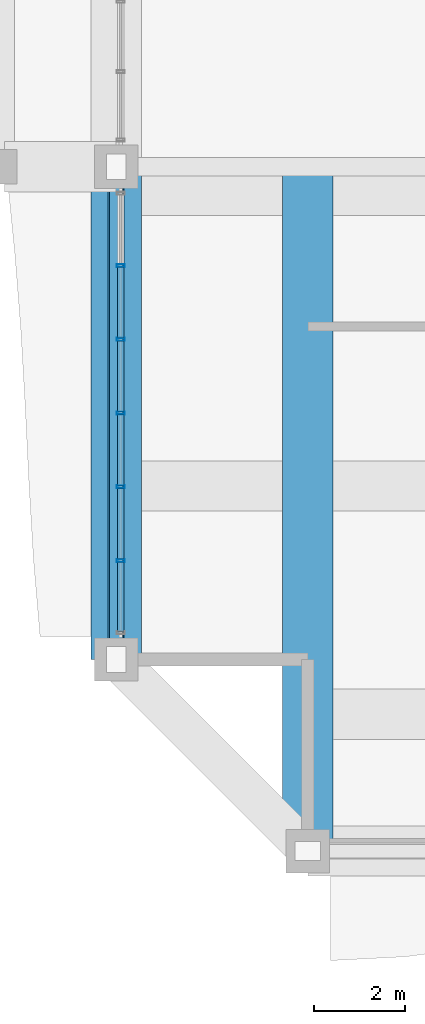
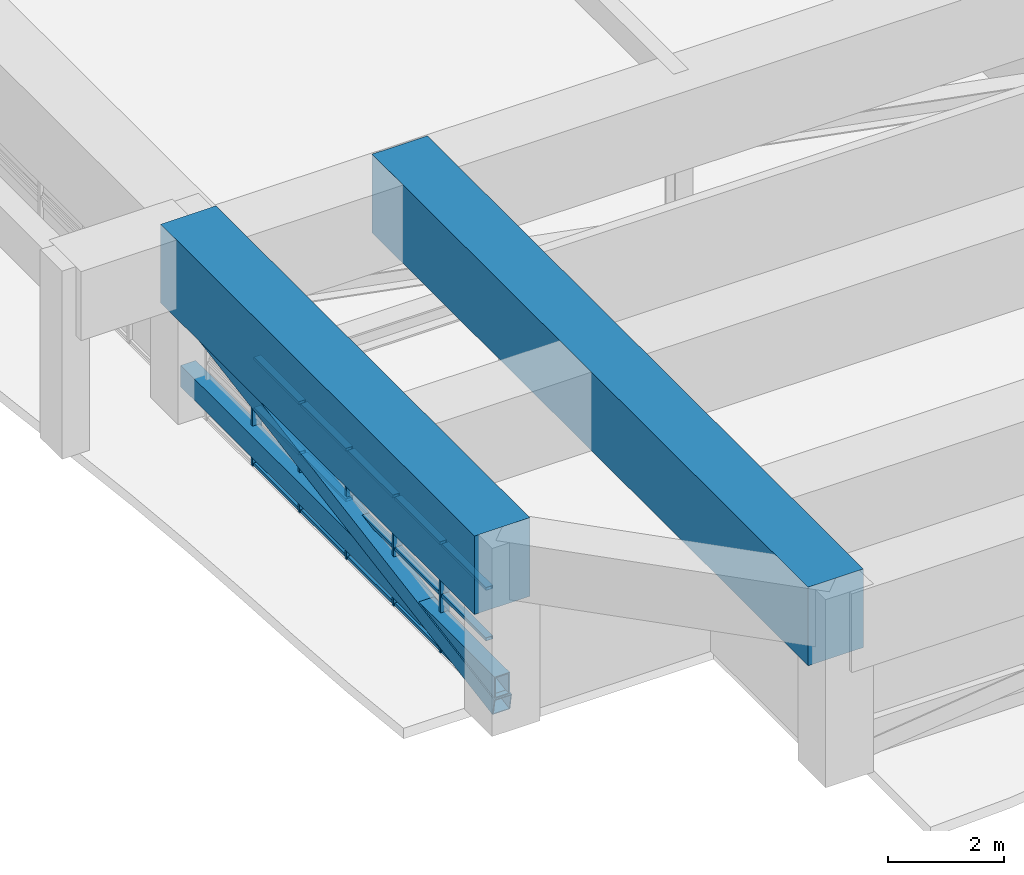
# One storey, part 4 of 35: 22 members, 2 beams, 1 element without a shape of its own.
"""IFC4 building model written with IfcOpenShell, lengths in metres."""

import ifcopenshell
import ifcopenshell.guid

model = None  # the IFC model being written
_history = None  # IfcOwnerHistory: only IFC2X3 demands one
_inside = {}  # id of a spatial element -> (the spatial element, [elements in it])
_under = {}  # id of a project, library or spatial element -> (it, [spatial elements below it])
_declared = {}  # id of a project -> (the project, [libraries it declares])
_typed = {}  # id of a type object -> (the type object, [elements of that type])
_made_of = {}  # id of a material, layer set ... -> (it, [elements and type objects made of it])


def new_model(schema):
    """Start an empty IFC model of exactly this schema.

    Asked for "IFC4X3", IfcOpenShell would pick the latest addendum, in which some entities
    have other attributes; the version numbers below select the first issue.
    IFC2X3 requires an IfcOwnerHistory on every rooted entity: one is made here for all.
    """
    global model, _history
    if schema == "IFC4X3":
        model = ifcopenshell.file(schema_version=(4, 3, 0, 0))
    else:
        model = ifcopenshell.file(schema=schema)
    _inside.clear()
    _under.clear()
    _declared.clear()
    _typed.clear()
    _made_of.clear()
    _history = None
    if model.schema == "IFC2X3":
        org = make("IfcOrganization", Name="unknown")
        user = make(
            "IfcPersonAndOrganization",
            ThePerson=make("IfcPerson", FamilyName="unknown"),
            TheOrganization=org,
        )
        app = make(
            "IfcApplication",
            ApplicationDeveloper=org,
            Version="unknown",
            ApplicationFullName="unknown",
            ApplicationIdentifier="unknown",
        )
        _history = make(
            "IfcOwnerHistory",
            OwningUser=user,
            OwningApplication=app,
            ChangeAction="ADDED",
            CreationDate=0,
        )
    return model


def make(cls, **values):
    """One entity of the class cls with the attributes given. An attribute that is None is left unset."""
    return model.create_entity(
        cls, **{name: value for name, value in values.items() if value is not None}
    )


def rooted(cls, **values):
    """An entity with a GlobalId (a new one), such as an element, a storey or a relation."""
    return make(cls, GlobalId=ifcopenshell.guid.new(), OwnerHistory=_history, **values)


def si_unit(unit_type, name, prefix=None):
    """IfcSIUnit, for example si_unit("LENGTHUNIT", "METRE", prefix="MILLI")."""
    return make("IfcSIUnit", UnitType=unit_type, Prefix=prefix, Name=name)


def assignment(units):
    """IfcUnitAssignment: the units of a project."""
    return None if units is None else make("IfcUnitAssignment", Units=units)


def point(xyz):
    """IfcCartesianPoint."""
    return None if xyz is None else make("IfcCartesianPoint", Coordinates=xyz)


def direction(xyz):
    """IfcDirection."""
    return None if xyz is None else make("IfcDirection", DirectionRatios=xyz)


def frame(location, z_axis=None, x_axis=None):
    """IfcAxis2Placement3D, a coordinate frame: its origin and axes. An axis left out is left unset."""
    return make(
        "IfcAxis2Placement3D",
        Location=point(location),
        Axis=direction(z_axis),
        RefDirection=direction(x_axis),
    )


def frame_2d(location, x_axis=None):
    """IfcAxis2Placement2D, a coordinate frame in the plane: its origin and x axis."""
    return make(
        "IfcAxis2Placement2D", Location=point(location), RefDirection=direction(x_axis)
    )


def origin():
    """The frame at (0, 0, 0) with its axes left unset."""
    return frame((0.0, 0.0, 0.0))


def origin_2d():
    """The frame at (0, 0) in the plane with its x axis left unset."""
    return frame_2d((0.0, 0.0))


def place(relative_to, where):
    """IfcLocalPlacement: puts the frame where relative to a parent placement (None: the world)."""
    return make(
        "IfcLocalPlacement", PlacementRelTo=relative_to, RelativePlacement=where
    )


def context(
    kind, dimensions, precision=None, world=None, true_north=None, identifier=None
):
    """IfcGeometricRepresentationContext, for example the 3D "Model" context."""
    return make(
        "IfcGeometricRepresentationContext",
        ContextIdentifier=identifier,
        ContextType=kind,
        CoordinateSpaceDimension=dimensions,
        Precision=precision,
        WorldCoordinateSystem=world,
        TrueNorth=true_north,
    )


def subcontext(parent, identifier, kind, view, scale=None):
    """IfcGeometricRepresentationSubContext, for example "Body" below "Model"."""
    return make(
        "IfcGeometricRepresentationSubContext",
        ContextIdentifier=identifier,
        ContextType=kind,
        ParentContext=parent,
        TargetScale=scale,
        TargetView=view,
    )


def project(units=None, contexts=None):
    """IfcProject with its units and contexts."""
    return rooted(
        "IfcProject",
        Name="project",
        RepresentationContexts=contexts,
        UnitsInContext=assignment(units),
    )


def spatial(cls, under=None, at=None, **own):
    """A site, building, storey or space (cls), placed at a placement, below another one or the project."""
    s = rooted(cls, ObjectPlacement=at, **own)
    if under is not None:
        _under.setdefault(under.id(), (under, []))[1].append(s)
    return s


def profile(cls, at=None, kind="AREA", **sizes):
    """A parametric profile (cls). Its sizes go by their IFC names, for example OverallWidth=200.0."""
    return make(cls, ProfileType=kind, Position=at, **sizes)


def rectangle(**sizes):
    """IfcRectangleProfileDef."""
    return profile("IfcRectangleProfileDef", **sizes)


def hollow_rectangle(**sizes):
    """IfcRectangleHollowProfileDef."""
    return profile("IfcRectangleHollowProfileDef", **sizes)


def extrude(swept, where, along, depth):
    """IfcExtrudedAreaSolid: the profile swept, set in the frame where, extruded along a direction by depth."""
    return make(
        "IfcExtrudedAreaSolid",
        SweptArea=swept,
        Position=where,
        ExtrudedDirection=direction(along),
        Depth=depth,
    )


def shape(context_of_items, identifier, shape_type, items):
    """IfcShapeRepresentation: the items that make up one representation, for example the "Body"."""
    return make(
        "IfcShapeRepresentation",
        ContextOfItems=context_of_items,
        RepresentationIdentifier=identifier,
        RepresentationType=shape_type,
        Items=items,
    )


def source(mapping_origin, context_of_items, identifier, shape_type, items):
    """IfcRepresentationMap: a shape defined once, which mapped items show again and again."""
    return make(
        "IfcRepresentationMap",
        MappingOrigin=mapping_origin,
        MappedRepresentation=shape(context_of_items, identifier, shape_type, items),
    )


def transform(
    local_origin,
    x_axis=None,
    y_axis=None,
    z_axis=None,
    scale=None,
    scale2=None,
    scale3=None,
    uniform=True,
):
    """IfcCartesianTransformationOperator3D, or its non-uniform kind. x_axis, y_axis, z_axis: its Axis1, 2, 3."""
    if uniform:
        return make(
            "IfcCartesianTransformationOperator3D",
            Axis1=direction(x_axis),
            Axis2=direction(y_axis),
            LocalOrigin=point(local_origin),
            Scale=scale,
            Axis3=direction(z_axis),
        )
    return make(
        "IfcCartesianTransformationOperator3DnonUniform",
        Axis1=direction(x_axis),
        Axis2=direction(y_axis),
        LocalOrigin=point(local_origin),
        Scale=scale,
        Axis3=direction(z_axis),
        Scale2=scale2,
        Scale3=scale3,
    )


def mapped(mapping_source, mapping_target):
    """IfcMappedItem: shows the shape of a source again, moved by a transform."""
    return make(
        "IfcMappedItem", MappingSource=mapping_source, MappingTarget=mapping_target
    )


def material(Name=None, Category=None):
    """IfcMaterial."""
    return make("IfcMaterial", Name=Name, Category=Category)


def layer(
    of_material, thickness, ventilated=None, Name=None, Category=None, Priority=None
):
    """IfcMaterialLayer: one layer of a wall or slab, of a material (None: an air gap)."""
    return make(
        "IfcMaterialLayer",
        Material=of_material,
        LayerThickness=thickness,
        IsVentilated=ventilated,
        Name=Name,
        Category=Category,
        Priority=Priority,
    )


def layer_set(layers, Name=None):
    """IfcMaterialLayerSet."""
    return make("IfcMaterialLayerSet", MaterialLayers=layers, LayerSetName=Name)


def material_profile(
    of_material, cross_section, Name=None, Category=None, Priority=None
):
    """IfcMaterialProfile: a cross section and its material."""
    return make(
        "IfcMaterialProfile",
        Name=Name,
        Material=of_material,
        Profile=cross_section,
        Priority=Priority,
        Category=Category,
    )


def profile_set(profiles, Name=None, composite=None):
    """IfcMaterialProfileSet."""
    return make(
        "IfcMaterialProfileSet",
        Name=Name,
        MaterialProfiles=profiles,
        CompositeProfile=composite,
    )


def made_of(thing, what):
    """Note that an element or type object is made of a material, layer set ...; save() writes the relation."""
    if what is not None:
        _made_of.setdefault(what.id(), (what, []))[1].append(thing)
    return thing


def type_object(cls, material=None, **own):
    """A type object (cls), such as IfcWallType, which elements share."""
    return made_of(rooted(cls, **own), material)


def element(
    cls,
    number,
    at=None,
    inside=None,
    cuts=None,
    type_object=None,
    material=None,
    context=None,
    identifier="Body",
    shape_type=None,
    held_by="IfcProductDefinitionShape",
    body=None,
    shapes=None,
    **own,
):
    """One element of the class cls, such as IfcWall. Its Tag is "e" and its number.

    at: its placement. inside: the storey or other place that contains it. cuts: it is an
    opening in that element (IfcRelVoidsElement). A single representation is given by context,
    identifier, shape_type and body (its items); several are given by shapes. held_by: the class
    of the entity that holds the representations. save() writes the other relations.
    """
    e = rooted(cls, Tag="e%d" % number, ObjectPlacement=at, **own)
    if body is not None:
        shapes = [shape(context, identifier, shape_type, body)]
    if shapes is not None:
        e.Representation = make(held_by, Representations=shapes)
    if inside is not None:
        _inside.setdefault(inside.id(), (inside, []))[1].append(e)
    if cuts is not None:
        rooted(
            "IfcRelVoidsElement", RelatingBuildingElement=cuts, RelatedOpeningElement=e
        )
    if type_object is not None:
        _typed.setdefault(type_object.id(), (type_object, []))[1].append(e)
    return made_of(e, material)


def aggregate(whole, parts):
    """IfcRelAggregates: a whole, such as a stair, and the parts it consists of."""
    return rooted("IfcRelAggregates", RelatingObject=whole, RelatedObjects=parts)


def save(model, path):
    """Write the relations noted so far, then the file.

    IfcRelAggregates (storeys below a building ...), IfcRelContainedInSpatialStructure (elements
    in a storey), IfcRelDefinesByType, IfcRelAssociatesMaterial and IfcRelDeclares: one each for
    every whole, place, type object, material and project.
    """
    for whole, parts in _under.values():
        aggregate(whole, parts)
    for where, things in _inside.values():
        rooted(
            "IfcRelContainedInSpatialStructure",
            RelatedElements=things,
            RelatingStructure=where,
        )
    for kind, things in _typed.values():
        rooted("IfcRelDefinesByType", RelatedObjects=things, RelatingType=kind)
    for what, things in _made_of.values():
        rooted("IfcRelAssociatesMaterial", RelatedObjects=things, RelatingMaterial=what)
    for by, libraries in _declared.values():
        rooted("IfcRelDeclares", RelatingContext=by, RelatedDefinitions=libraries)
    model.write(path)


model = new_model("IFC4")

# Units and contexts
model_context = context("Model", 3, precision=1e-05, world=origin(), true_north=direction((0.0, 1.0)))
body_context = subcontext(model_context, "Body", "Model", "MODEL_VIEW")
ifc_project = project(units=[si_unit("LENGTHUNIT", "METRE"), si_unit("AREAUNIT", "SQUARE_METRE"), si_unit("VOLUMEUNIT", "CUBIC_METRE"), si_unit("PLANEANGLEUNIT", "RADIAN"), si_unit("MASSUNIT", "GRAM", prefix="KILO")], contexts=[model_context])

# Site, building, storey
site_placement = place(None, origin())
site = spatial("IfcSite", under=ifc_project, at=site_placement, CompositionType="ELEMENT")
building_placement = place(site_placement, origin())
building = spatial("IfcBuilding", under=site, at=building_placement, Name="Saelheon Loggia Tower", CompositionType="ELEMENT")
storey_placement = place(building_placement, frame((0.0, 0.0, 144.75)))
storey = spatial("IfcBuildingStorey", under=building, at=storey_placement, Name="L46", CompositionType="ELEMENT", Elevation=144.75)

# Beams
ifc_material_1 = material(Name="Concrete C50/60", Category="concrete")
ifc_material_profile_1 = material_profile(ifc_material_1, rectangle(XDim=1.10009765625, YDim=1.64990234375, at=origin_2d()), Name="RC-1100x1650")
ifc_profile_set_1 = profile_set([ifc_material_profile_1], Name="Concrete C50/60")
beam_type_1 = type_object("IfcBeamType", Name="Beam_PerimMega_RC1100x1650", PredefinedType="BEAM", material=ifc_profile_set_1)
shared_shape_1 = source(origin(), body_context, "Body", "SweptSolid", [
    extrude(rectangle(XDim=1.10009765625, YDim=1.64990234375, at=origin_2d()), origin(), (0.0, 0.0, 1.0), 10.800048828125),
])
beam_1_placement = place(storey_placement, frame((12.0, 18.0, 3.125), z_axis=(0.0, -1.0, 0.0), x_axis=(1.0, 0.0, 0.0)))
element("IfcBeam", 1, at=beam_1_placement, inside=storey, type_object=beam_type_1, Name="L46 Perimeter Frame Girder 15", PredefinedType="BEAM", context=body_context, shape_type="MappedRepresentation", body=[
    mapped(shared_shape_1, transform((0.0, 0.0, 0.0), scale=1.0)),
])
ifc_material_profile_2 = material_profile(ifc_material_1, rectangle(XDim=1.10009765625, YDim=1.64990234375, at=origin_2d()), Name="RC-1100x1650")
ifc_profile_set_2 = profile_set([ifc_material_profile_2], Name="Concrete C50/60")
beam_type_2 = type_object("IfcBeamType", Name="Beam_MegaTransfer_RC1100x1650", PredefinedType="BEAM", material=ifc_profile_set_2)
shared_shape_2 = source(origin(), body_context, "Body", "SweptSolid", [
    extrude(rectangle(XDim=1.10009765625, YDim=1.64990234375, at=origin_2d()), origin(), (0.0, 0.0, 1.0), 15.0),
])
beam_2_placement = place(storey_placement, frame((16.199951171875, 3.0, 3.125), z_axis=(0.0, 1.0, 0.0), x_axis=(-1.0, 0.0, 0.0)))
element("IfcBeam", 2, at=beam_2_placement, inside=storey, type_object=beam_type_2, Name="TG-L46-NL-SW", PredefinedType="BEAM", context=body_context, shape_type="MappedRepresentation", body=[
    mapped(shared_shape_2, transform((0.0, 0.0, 0.0), scale=1.0)),
])

# Members
ifc_material_2 = material(Name="Steel SM355", Category="steel")
ifc_material_profile_3 = material_profile(ifc_material_2, hollow_rectangle(XDim=0.300048828125, YDim=0.449951171875, WallThickness=0.02001953125, at=origin_2d()), Name="RHS-450x300x20")
ifc_profile_set_3 = profile_set([ifc_material_profile_3], Name="Steel SM355")
member_type_1 = type_object("IfcMemberType", Name="Belt_Chord_RHS450", PredefinedType="CHORD", material=ifc_profile_set_3)
shared_shape_3 = source(origin(), body_context, "Body", "SweptSolid", [
    extrude(hollow_rectangle(XDim=0.300048828125, YDim=0.449951171875, WallThickness=0.02001953125, at=origin_2d()), origin(), (0.0, 0.0, 1.0), 10.800048828125),
])
member_1_placement = place(storey_placement, frame((12.0, 7.199951171875, 0.6201171875), z_axis=(0.0, 1.0, 0.0), x_axis=(-1.0, 0.0, 0.0)))
element("IfcMember", 3, at=member_1_placement, inside=storey, type_object=member_type_1, Name="L46 Belt Truss Chord BW1", PredefinedType="CHORD", context=body_context, shape_type="MappedRepresentation", body=[
    mapped(shared_shape_3, transform((0.0, 0.0, 0.0), scale=1.0)),
])
ifc_material_profile_4 = material_profile(ifc_material_2, hollow_rectangle(XDim=0.35009765625, YDim=0.35009765625, WallThickness=0.01611328125, at=origin_2d()), Name="RHS-350x350x16")
ifc_profile_set_4 = profile_set([ifc_material_profile_4], Name="Steel SM355")
member_type_2 = type_object("IfcMemberType", Name="Belt_Brace_RHS350", PredefinedType="BRACE", material=ifc_profile_set_4)
shared_shape_4 = source(origin(), body_context, "Body", "SweptSolid", [
    extrude(hollow_rectangle(XDim=0.35009765625, YDim=0.35009765625, WallThickness=0.01611328125, at=origin_2d()), origin(), (0.0, 0.0, 1.0), 10.957275390625),
])
member_2_placement = place(storey_placement, frame((12.0, 7.199951171875, 0.219970703125), z_axis=(0.0, 0.985642602665, 0.168845076361), x_axis=(-1.0, 0.0, 0.0)))
element("IfcMember", 4, at=member_2_placement, inside=storey, type_object=member_type_2, Name="L46 Belt Truss Brace BW1", PredefinedType="BRACE", context=body_context, shape_type="MappedRepresentation", body=[
    mapped(shared_shape_4, transform((0.0, 0.0, 0.0), scale=1.0)),
])

# Curtain wall, members
ifc_material_3 = material(Name="Anodised Aluminium Acoustic Louvre Curtain Wall", Category="aluminium")
ifc_layer = layer(ifc_material_3, 0.179931640625)
ifc_layer_set = layer_set([ifc_layer], Name="Anodised Aluminium Acoustic Louvre Curtain Wall")
curtain_wall_type = type_object("IfcCurtainWallType", Name="CW_RefugeAcoustic", PredefinedType="NOTDEFINED", material=ifc_layer_set)
curtain_wall_placement = place(storey_placement, origin())
curtain_wall = element("IfcCurtainWall", 5, at=curtain_wall_placement, inside=storey, type_object=curtain_wall_type, Name="L46 W Refuge Acoustic Curtain Wall 1", PredefinedType="NOTDEFINED")
ifc_material_4 = material(Name="Anodised Aluminium 6063-T6", Category="aluminium")
ifc_material_profile_5 = material_profile(ifc_material_4, hollow_rectangle(XDim=0.06494140625, YDim=0.179931640625, WallThickness=0.00390625, at=origin_2d()), Name="RHS-180x65x4")
ifc_profile_set_5 = profile_set([ifc_material_profile_5], Name="Anodised Aluminium 6063-T6")
member_type_3 = type_object("IfcMemberType", Name="CW_RefugeAcoustic_Mullion", PredefinedType="MULLION", material=ifc_profile_set_5)
shared_shape_5 = source(origin(), body_context, "Body", "SweptSolid", [
    extrude(hollow_rectangle(XDim=0.06494140625, YDim=0.179931640625, WallThickness=0.00390625, at=origin_2d()), origin(), (0.0, 0.0, 1.0), 2.2900390625),
])
member_3_placement = place(storey_placement, frame((12.10009765625, 9.36669921875, 0.0), z_axis=(0.0, 0.0, 1.0), x_axis=(0.0, 1.0, 0.0)))
member_3 = element("IfcMember", 6, at=member_3_placement, type_object=member_type_3, Name="CW5 mullion 2", PredefinedType="MULLION", context=body_context, shape_type="MappedRepresentation", body=[
    mapped(shared_shape_5, transform((0.0, 0.0, 0.0), scale=1.0)),
])
member_4_placement = place(storey_placement, frame((12.10009765625, 10.9833984375, 0.0), z_axis=(0.0, 0.0, 1.0), x_axis=(0.0, 1.0, 0.0)))
member_4 = element("IfcMember", 7, at=member_4_placement, type_object=member_type_3, Name="CW5 mullion 3", PredefinedType="MULLION", context=body_context, shape_type="MappedRepresentation", body=[
    mapped(shared_shape_5, transform((0.0, 0.0, 0.0), scale=1.0)),
])
member_5_placement = place(storey_placement, frame((12.10009765625, 12.60009765625, 0.0), z_axis=(0.0, 0.0, 1.0), x_axis=(0.0, 1.0, 0.0)))
member_5 = element("IfcMember", 8, at=member_5_placement, type_object=member_type_3, Name="CW5 mullion 4", PredefinedType="MULLION", context=body_context, shape_type="MappedRepresentation", body=[
    mapped(shared_shape_5, transform((0.0, 0.0, 0.0), scale=1.0)),
])
member_6_placement = place(storey_placement, frame((12.10009765625, 14.216552734375, 0.0), z_axis=(0.0, 0.0, 1.0), x_axis=(0.0, 1.0, 0.0)))
member_6 = element("IfcMember", 9, at=member_6_placement, type_object=member_type_3, Name="CW5 mullion 5", PredefinedType="MULLION", context=body_context, shape_type="MappedRepresentation", body=[
    mapped(shared_shape_5, transform((0.0, 0.0, 0.0), scale=1.0)),
])
member_7_placement = place(storey_placement, frame((12.10009765625, 15.833251953125, 0.0), z_axis=(0.0, 0.0, 1.0), x_axis=(0.0, 1.0, 0.0)))
member_7 = element("IfcMember", 10, at=member_7_placement, type_object=member_type_3, Name="CW5 mullion 6", PredefinedType="MULLION", context=body_context, shape_type="MappedRepresentation", body=[
    mapped(shared_shape_5, transform((0.0, 0.0, 0.0), scale=1.0)),
])
ifc_material_profile_6 = material_profile(ifc_material_4, hollow_rectangle(XDim=0.06494140625, YDim=0.139892578125, WallThickness=0.00390625, at=origin_2d()), Name="RHS-140x65x4")
ifc_profile_set_6 = profile_set([ifc_material_profile_6], Name="Anodised Aluminium 6063-T6")
member_type_4 = type_object("IfcMemberType", Name="CW_RefugeAcoustic_Transom", PredefinedType="USERDEFINED", material=ifc_profile_set_6)
shared_shape_6 = source(origin(), body_context, "Body", "SweptSolid", [
    extrude(hollow_rectangle(XDim=0.06494140625, YDim=0.139892578125, WallThickness=0.00390625, at=origin_2d()), origin(), (0.0, 0.0, 1.0), 1.519287109375),
])
member_8_placement = place(storey_placement, frame((12.10009765625, 7.81494140625, 0.032470703125), z_axis=(0.0, 1.0, 0.0), x_axis=(0.0, 0.0, 1.0)))
member_8 = element("IfcMember", 11, at=member_8_placement, type_object=member_type_4, Name="CW5 transom 1.1", ObjectType="TRANSOM", PredefinedType="USERDEFINED", context=body_context, shape_type="MappedRepresentation", body=[
    mapped(shared_shape_6, transform((0.0, 0.0, 0.0), scale=1.0)),
])
member_9_placement = place(storey_placement, frame((12.10009765625, 7.81494140625, 1.199951171875), z_axis=(0.0, 1.0, 0.0), x_axis=(0.0, 0.0, 1.0)))
member_9 = element("IfcMember", 12, at=member_9_placement, type_object=member_type_4, Name="CW5 transom 1.2", ObjectType="TRANSOM", PredefinedType="USERDEFINED", context=body_context, shape_type="MappedRepresentation", body=[
    mapped(shared_shape_6, transform((0.0, 0.0, 0.0), scale=1.0)),
])
member_10_placement = place(storey_placement, frame((12.10009765625, 7.81494140625, 2.257568359375), z_axis=(0.0, 1.0, 0.0), x_axis=(0.0, 0.0, 1.0)))
member_10 = element("IfcMember", 13, at=member_10_placement, type_object=member_type_4, Name="CW5 transom 1.3", ObjectType="TRANSOM", PredefinedType="USERDEFINED", context=body_context, shape_type="MappedRepresentation", body=[
    mapped(shared_shape_6, transform((0.0, 0.0, 0.0), scale=1.0)),
])
shared_shape_7 = source(origin(), body_context, "Body", "SweptSolid", [
    extrude(hollow_rectangle(XDim=0.06494140625, YDim=0.139892578125, WallThickness=0.00390625, at=origin_2d()), origin(), (0.0, 0.0, 1.0), 1.5517578125),
])
member_11_placement = place(storey_placement, frame((12.10009765625, 9.399169921875, 0.032470703125), z_axis=(0.0, 1.0, 0.0), x_axis=(0.0, 0.0, 1.0)))
member_11 = element("IfcMember", 14, at=member_11_placement, type_object=member_type_4, Name="CW5 transom 2.1", ObjectType="TRANSOM", PredefinedType="USERDEFINED", context=body_context, shape_type="MappedRepresentation", body=[
    mapped(shared_shape_7, transform((0.0, 0.0, 0.0), scale=1.0)),
])
member_12_placement = place(storey_placement, frame((12.10009765625, 9.399169921875, 1.199951171875), z_axis=(0.0, 1.0, 0.0), x_axis=(0.0, 0.0, 1.0)))
member_12 = element("IfcMember", 15, at=member_12_placement, type_object=member_type_4, Name="CW5 transom 2.2", ObjectType="TRANSOM", PredefinedType="USERDEFINED", context=body_context, shape_type="MappedRepresentation", body=[
    mapped(shared_shape_7, transform((0.0, 0.0, 0.0), scale=1.0)),
])
member_13_placement = place(storey_placement, frame((12.10009765625, 9.399169921875, 2.257568359375), z_axis=(0.0, 1.0, 0.0), x_axis=(0.0, 0.0, 1.0)))
member_13 = element("IfcMember", 16, at=member_13_placement, type_object=member_type_4, Name="CW5 transom 2.3", ObjectType="TRANSOM", PredefinedType="USERDEFINED", context=body_context, shape_type="MappedRepresentation", body=[
    mapped(shared_shape_7, transform((0.0, 0.0, 0.0), scale=1.0)),
])
shared_shape_8 = source(origin(), body_context, "Body", "SweptSolid", [
    extrude(hollow_rectangle(XDim=0.06494140625, YDim=0.139892578125, WallThickness=0.00390625, at=origin_2d()), origin(), (0.0, 0.0, 1.0), 1.551513671875),
])
member_14_placement = place(storey_placement, frame((12.10009765625, 11.015869140625, 0.032470703125), z_axis=(0.0, 1.0, 0.0), x_axis=(0.0, 0.0, 1.0)))
member_14 = element("IfcMember", 17, at=member_14_placement, type_object=member_type_4, Name="CW5 transom 3.1", ObjectType="TRANSOM", PredefinedType="USERDEFINED", context=body_context, shape_type="MappedRepresentation", body=[
    mapped(shared_shape_8, transform((0.0, 0.0, 0.0), scale=1.0)),
])
member_15_placement = place(storey_placement, frame((12.10009765625, 11.015869140625, 1.199951171875), z_axis=(0.0, 1.0, 0.0), x_axis=(0.0, 0.0, 1.0)))
member_15 = element("IfcMember", 18, at=member_15_placement, type_object=member_type_4, Name="CW5 transom 3.2", ObjectType="TRANSOM", PredefinedType="USERDEFINED", context=body_context, shape_type="MappedRepresentation", body=[
    mapped(shared_shape_8, transform((0.0, 0.0, 0.0), scale=1.0)),
])
member_16_placement = place(storey_placement, frame((12.10009765625, 11.015869140625, 2.257568359375), z_axis=(0.0, 1.0, 0.0), x_axis=(0.0, 0.0, 1.0)))
member_16 = element("IfcMember", 19, at=member_16_placement, type_object=member_type_4, Name="CW5 transom 3.3", ObjectType="TRANSOM", PredefinedType="USERDEFINED", context=body_context, shape_type="MappedRepresentation", body=[
    mapped(shared_shape_8, transform((0.0, 0.0, 0.0), scale=1.0)),
])
member_17_placement = place(storey_placement, frame((12.10009765625, 12.632568359375, 0.032470703125), z_axis=(0.0, 1.0, 0.0), x_axis=(0.0, 0.0, 1.0)))
member_17 = element("IfcMember", 20, at=member_17_placement, type_object=member_type_4, Name="CW5 transom 4.1", ObjectType="TRANSOM", PredefinedType="USERDEFINED", context=body_context, shape_type="MappedRepresentation", body=[
    mapped(shared_shape_8, transform((0.0, 0.0, 0.0), scale=1.0)),
])
member_18_placement = place(storey_placement, frame((12.10009765625, 12.632568359375, 1.199951171875), z_axis=(0.0, 1.0, 0.0), x_axis=(0.0, 0.0, 1.0)))
member_18 = element("IfcMember", 21, at=member_18_placement, type_object=member_type_4, Name="CW5 transom 4.2", ObjectType="TRANSOM", PredefinedType="USERDEFINED", context=body_context, shape_type="MappedRepresentation", body=[
    mapped(shared_shape_8, transform((0.0, 0.0, 0.0), scale=1.0)),
])
member_19_placement = place(storey_placement, frame((12.10009765625, 12.632568359375, 2.257568359375), z_axis=(0.0, 1.0, 0.0), x_axis=(0.0, 0.0, 1.0)))
member_19 = element("IfcMember", 22, at=member_19_placement, type_object=member_type_4, Name="CW5 transom 4.3", ObjectType="TRANSOM", PredefinedType="USERDEFINED", context=body_context, shape_type="MappedRepresentation", body=[
    mapped(shared_shape_8, transform((0.0, 0.0, 0.0), scale=1.0)),
])
member_20_placement = place(storey_placement, frame((12.10009765625, 14.249267578125, 0.032470703125), z_axis=(0.0, 1.0, 0.0), x_axis=(0.0, 0.0, 1.0)))
member_20 = element("IfcMember", 23, at=member_20_placement, type_object=member_type_4, Name="CW5 transom 5.1", ObjectType="TRANSOM", PredefinedType="USERDEFINED", context=body_context, shape_type="MappedRepresentation", body=[
    mapped(shared_shape_8, transform((0.0, 0.0, 0.0), scale=1.0)),
])
member_21_placement = place(storey_placement, frame((12.10009765625, 14.249267578125, 1.199951171875), z_axis=(0.0, 1.0, 0.0), x_axis=(0.0, 0.0, 1.0)))
member_21 = element("IfcMember", 24, at=member_21_placement, type_object=member_type_4, Name="CW5 transom 5.2", ObjectType="TRANSOM", PredefinedType="USERDEFINED", context=body_context, shape_type="MappedRepresentation", body=[
    mapped(shared_shape_8, transform((0.0, 0.0, 0.0), scale=1.0)),
])
member_22_placement = place(storey_placement, frame((12.10009765625, 14.249267578125, 2.257568359375), z_axis=(0.0, 1.0, 0.0), x_axis=(0.0, 0.0, 1.0)))
member_22 = element("IfcMember", 25, at=member_22_placement, type_object=member_type_4, Name="CW5 transom 5.3", ObjectType="TRANSOM", PredefinedType="USERDEFINED", context=body_context, shape_type="MappedRepresentation", body=[
    mapped(shared_shape_8, transform((0.0, 0.0, 0.0), scale=1.0)),
])
aggregate(curtain_wall, [member_3, member_4, member_5, member_6, member_7, member_8, member_9, member_10, member_11, member_12, member_13, member_14, member_15, member_16, member_17, member_18, member_19, member_20, member_21, member_22])

save(model, "model.ifc")
